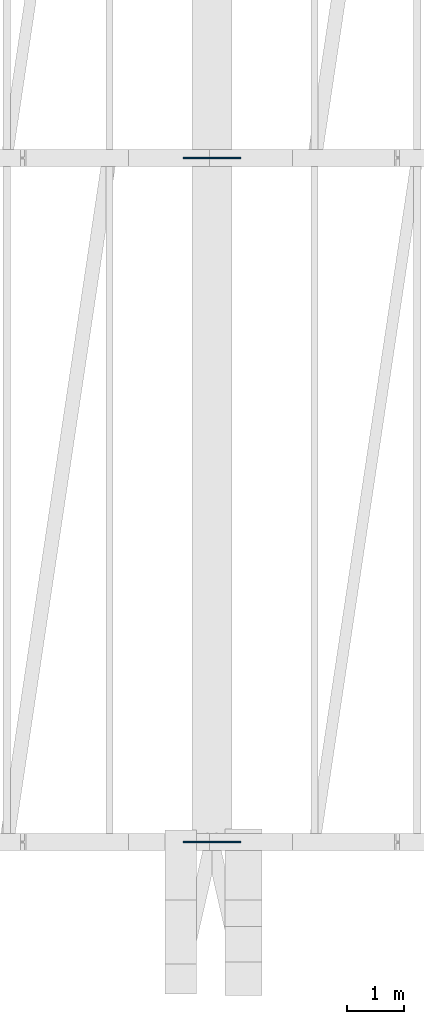
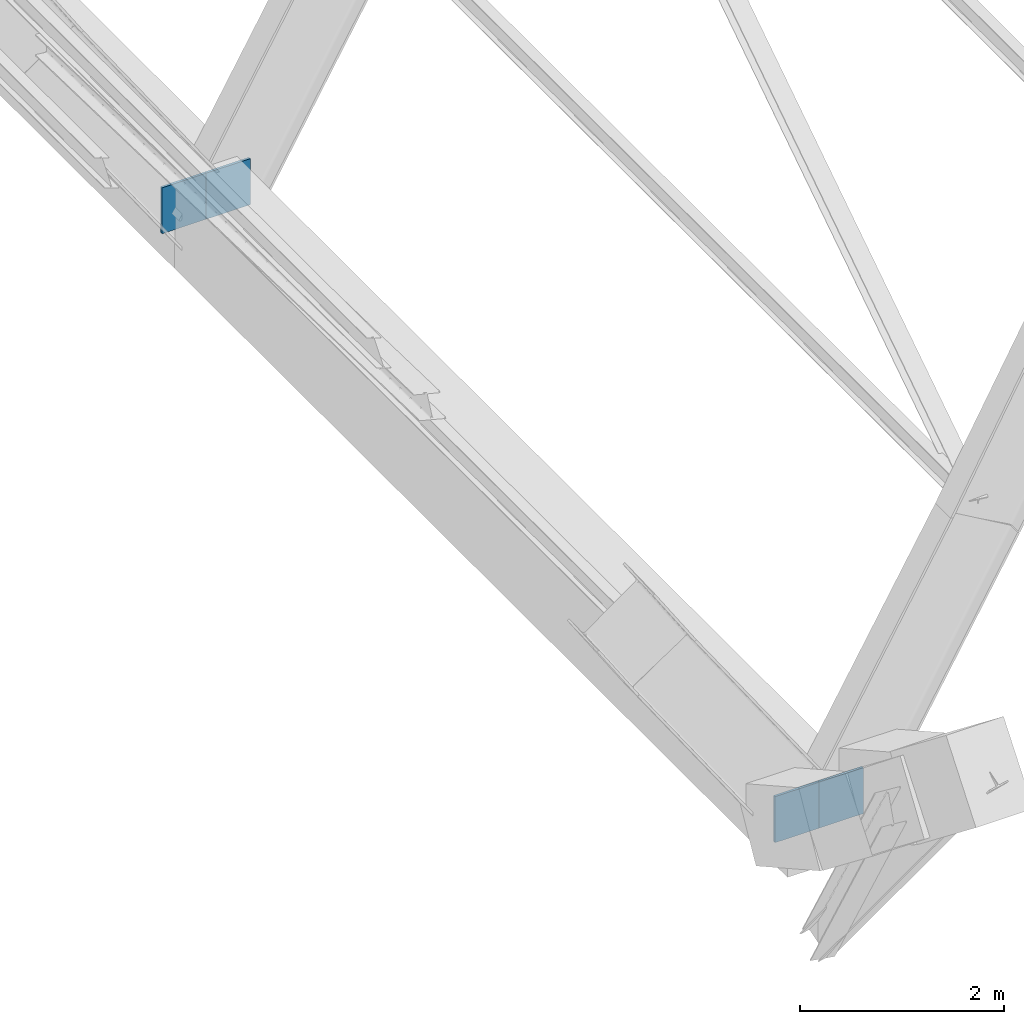
# One storey, part 62 of 86: 4 plates.
"""IFC4 building model written with IfcOpenShell, lengths in metres."""

from ifc_helpers import new_model, si_unit, direction, frame, origin, origin_2d, place, context, subcontext, project, spatial, rectangle, extrude, material, layer, layer_set, type_object, element, save


model = new_model("IFC4")

# Units and contexts
model_context = context("Model", 3, precision=1e-05, world=origin(), true_north=direction((0.0, 1.0)))
body_context = subcontext(model_context, "Body", "Model", "MODEL_VIEW")
ifc_project = project(units=[si_unit("LENGTHUNIT", "METRE"), si_unit("AREAUNIT", "SQUARE_METRE"), si_unit("VOLUMEUNIT", "CUBIC_METRE"), si_unit("PLANEANGLEUNIT", "RADIAN"), si_unit("MASSUNIT", "GRAM", prefix="KILO")], contexts=[model_context])

# Site, building, storey
site_placement = place(None, origin())
site = spatial("IfcSite", under=ifc_project, at=site_placement, CompositionType="ELEMENT")
building_placement = place(site_placement, origin())
building = spatial("IfcBuilding", under=site, at=building_placement, Name="Chuanluo Vaults Station", CompositionType="ELEMENT")
storey_placement = place(building_placement, frame((0.0, 0.0, 14.39990234375)))
storey = spatial("IfcBuildingStorey", under=building, at=storey_placement, Name="L03", CompositionType="ELEMENT", Elevation=14.39990234375)

# Plates
ifc_material = material(Name="Steel Q390C", Category="steel")
ifc_layer = layer(ifc_material, 0.028076171875)
ifc_layer_set = layer_set([ifc_layer], Name="Steel Q390C")
plate_type = type_object("IfcPlateType", Name="PLT-GUS-28", PredefinedType="USERDEFINED", material=ifc_layer_set)
for number, where, z_axis, x_axis, name in (
    (1, (53.75, 18.0, -0.875), (0.0, 0.0, 1.0), (1.0, 0.0, 0.0), "Vault V3 skewback node plate 1-E"),
    (2, (53.75, 30.0, -0.875), (0.0, 0.0, 1.0), (1.0, 0.0, 0.0), "Vault V3 skewback node plate 2-E"),
    (3, (54.25, 18.0, -0.875), (0.0, 0.0, 1.0), (1.0, 0.0, 0.0), "Vault V4 skewback node plate 1-W"),
    (4, (54.25, 30.0, -0.875), (0.0, 0.0, 1.0), (1.0, 0.0, 0.0), "Vault V4 skewback node plate 2-W"),
):
    element("IfcPlate", number, at=place(storey_placement, frame(where, z_axis=z_axis, x_axis=x_axis)), inside=storey, type_object=plate_type, Name=name, ObjectType="GUSSET_PLATE", PredefinedType="USERDEFINED", context=body_context, shape_type="SweptSolid", body=[
        extrude(rectangle(XDim=0.5, YDim=0.028076171875, at=origin_2d()), origin(), (0.0, 0.0, 1.0), 0.550048828125),
    ])

save(model, "model.ifc")
